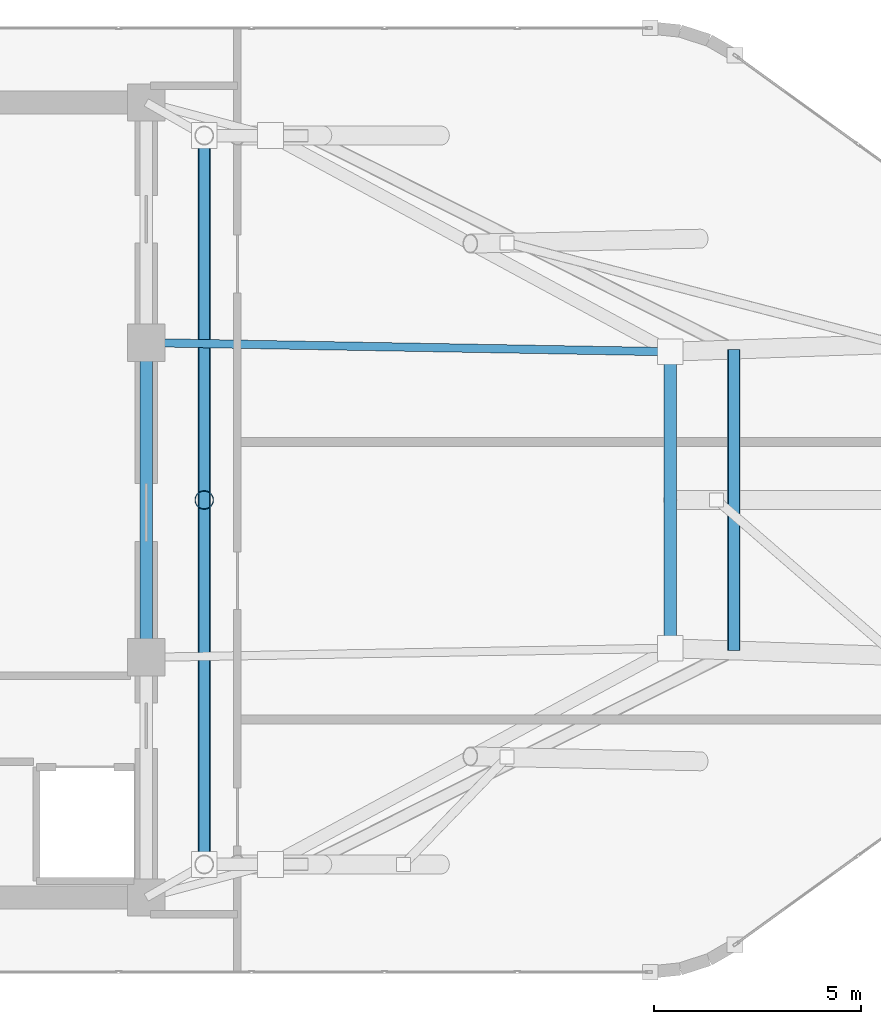
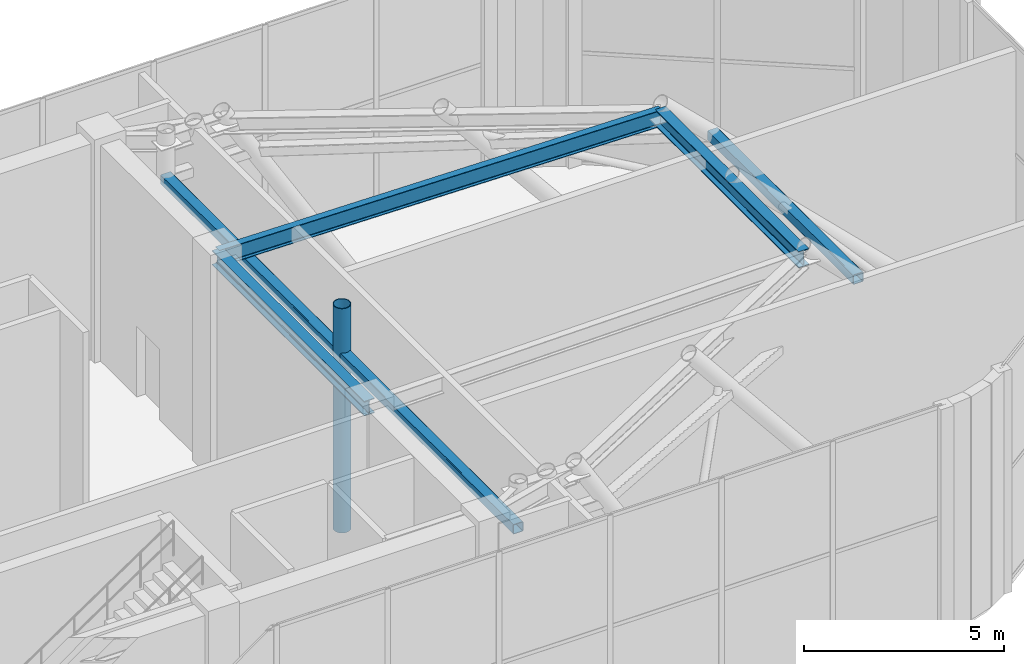
# One storey, part 11 of 23: 3 beams, 3 members.
"""IFC4 building model written with IfcOpenShell, lengths in metres."""

from ifc_helpers import new_model, si_unit, direction, frame, origin, origin_2d, place, context, subcontext, project, spatial, hollow_rectangle, hollow_circle, i_section, extrude, material, material_profile, profile_set, type_object, element, save


model = new_model("IFC4")

# Units and contexts
model_context = context("Model", 3, precision=1e-05, world=origin(), true_north=direction((0.0, 1.0)))
body_context = subcontext(model_context, "Body", "Model", "MODEL_VIEW")
ifc_project = project(units=[si_unit("LENGTHUNIT", "METRE"), si_unit("AREAUNIT", "SQUARE_METRE"), si_unit("VOLUMEUNIT", "CUBIC_METRE"), si_unit("PLANEANGLEUNIT", "RADIAN"), si_unit("MASSUNIT", "GRAM", prefix="KILO")], contexts=[model_context])

# Site, building, storey
site_placement = place(None, origin())
site = spatial("IfcSite", under=ifc_project, at=site_placement, CompositionType="ELEMENT")
building_placement = place(site_placement, origin())
building = spatial("IfcBuilding", under=site, at=building_placement, Name="An Khanh Terracotta Commons", CompositionType="ELEMENT")
storey_placement = place(building_placement, frame((0.0, 0.0, 322.0)))
storey = spatial("IfcBuildingStorey", under=building, at=storey_placement, Name="L81 Crown Heat-Recovery Plant", CompositionType="ELEMENT", Elevation=322.0)

# Beams
ifc_material_1 = material(Name="Steel S355J2", Category="steel")
ifc_material_profile_1 = material_profile(ifc_material_1, i_section(OverallWidth=0.300048828125, OverallDepth=0.449951171875, WebThickness=0.013916015625, FlangeThickness=0.02587890625, FilletRadius=0.027099609375, at=origin_2d()), Name="HEB450")
ifc_profile_set_1 = profile_set([ifc_material_profile_1], Name="Steel S355J2")
beam_type_1 = type_object("IfcBeamType", Name="BM-HEB450", PredefinedType="BEAM", material=ifc_profile_set_1)
beam_1_placement = place(storey_placement, frame((37.199951171875, 20.199951171875, 6.35498046875), z_axis=(0.0, 1.0, 0.0), x_axis=(-1.0, 0.0, 0.0)))
element("IfcBeam", 1, at=beam_1_placement, inside=storey, type_object=beam_type_1, Name="L81 Crown Heat-Recovery Plant Core East Coupling Girder 2", PredefinedType="BEAM", context=body_context, shape_type="SweptSolid", body=[
    extrude(i_section(OverallWidth=0.300048828125, OverallDepth=0.449951171875, WebThickness=0.013916015625, FlangeThickness=0.02587890625, FilletRadius=0.027099609375, at=origin_2d()), origin(), (0.0, 0.0, 1.0), 7.60009765625),
])
ifc_material_profile_2 = material_profile(ifc_material_1, i_section(OverallWidth=0.300048828125, OverallDepth=0.5, WebThickness=0.014404296875, FlangeThickness=0.028076171875, FilletRadius=0.027099609375, at=origin_2d()), Name="HEB500")
ifc_profile_set_2 = profile_set([ifc_material_profile_2], Name="Steel S355J2")
beam_type_2 = type_object("IfcBeamType", Name="BM-HEB500", PredefinedType="BEAM", material=ifc_profile_set_2)
beam_2_placement = place(storey_placement, frame((49.85009765625, 20.419921875, 6.330078125), z_axis=(0.0, 1.0, 0.0), x_axis=(-1.0, 0.0, 0.0)))
element("IfcBeam", 2, at=beam_2_placement, inside=storey, type_object=beam_type_2, Name="L81 Crown Heat-Recovery Plant CROWN FRAME Ring Beam 3", PredefinedType="BEAM", context=body_context, shape_type="SweptSolid", body=[
    extrude(i_section(OverallWidth=0.300048828125, OverallDepth=0.5, WebThickness=0.014404296875, FlangeThickness=0.028076171875, FilletRadius=0.027099609375, at=origin_2d()), origin(), (0.0, 0.0, 1.0), 7.16015625),
])
ifc_material_profile_3 = material_profile(ifc_material_1, i_section(OverallWidth=0.199951171875, OverallDepth=0.5, WebThickness=0.01025390625, FlangeThickness=0.01611328125, FilletRadius=0.02099609375, at=origin_2d()), Name="IPE500")
ifc_profile_set_3 = profile_set([ifc_material_profile_3], Name="Steel S355J2")
beam_type_3 = type_object("IfcBeamType", Name="BM-IPE500", PredefinedType="BEAM", material=ifc_profile_set_3)
beam_3_placement = place(storey_placement, frame((37.199951171875, 27.800048828125, 6.330078125), z_axis=(0.999848849319, -0.017386158704, 0.0), x_axis=(0.017386158704, 0.999848849319, 0.0)))
element("IfcBeam", 3, at=beam_3_placement, inside=storey, type_object=beam_type_3, Name="L81 Crown Heat-Recovery Plant Crown Radial Tie Beam 4", PredefinedType="BEAM", context=body_context, shape_type="SweptSolid", body=[
    extrude(i_section(OverallWidth=0.199951171875, OverallDepth=0.5, WebThickness=0.01025390625, FlangeThickness=0.01611328125, FilletRadius=0.02099609375, at=origin_2d()), origin(), (0.0, 0.0, 1.0), 12.652099609375),
])

# Members
ifc_material_2 = material(Name="Steel S460ML", Category="steel")
ifc_material_profile_4 = material_profile(ifc_material_2, hollow_circle(Radius=0.228515625, WallThickness=0.02001953125, at=origin_2d()), Name="CHS457x20")
ifc_profile_set_4 = profile_set([ifc_material_profile_4], Name="Steel S460ML")
member_type_1 = type_object("IfcMemberType", Name="CROWN FRAME RIB CHS457", PredefinedType="STRUT", material=ifc_profile_set_4)
member_1_placement = place(storey_placement, frame((38.60009765625, 24.0, -0.1201171875), z_axis=(0.0, 0.0, 1.0), x_axis=(1.0, 0.0, 0.0)))
element("IfcMember", 4, at=member_1_placement, inside=storey, type_object=member_type_1, Name="L81 Crown Heat-Recovery Plant CROWN FRAME Facet Strut 6", PredefinedType="STRUT", context=body_context, shape_type="SweptSolid", body=[
    extrude(hollow_circle(Radius=0.228515625, WallThickness=0.02001953125, at=origin_2d()), origin(), (0.0, 0.0, 1.0), 6.840087890625),
])
ifc_material_profile_5 = material_profile(ifc_material_2, hollow_rectangle(XDim=0.300048828125, YDim=0.300048828125, WallThickness=0.01611328125, InnerFilletRadius=0.01611328125, OuterFilletRadius=0.031982421875, at=origin_2d()), Name="SHS300x300x16")
ifc_profile_set_5 = profile_set([ifc_material_profile_5], Name="Steel S460ML")
member_type_2 = type_object("IfcMemberType", Name="CROWN FRAME RING SHS300", PredefinedType="CHORD", material=ifc_profile_set_5)
member_2_placement = place(storey_placement, frame((51.389892578125, 20.366943359375, 5.215087890625), z_axis=(0.0, 1.0, 0.0), x_axis=(-1.0, 0.0, 0.0)))
element("IfcMember", 5, at=member_2_placement, inside=storey, type_object=member_type_2, Name="L81 Crown Heat-Recovery Plant CROWN FRAME Sill Ring Chord 3", PredefinedType="CHORD", context=body_context, shape_type="SweptSolid", body=[
    extrude(hollow_rectangle(XDim=0.300048828125, YDim=0.300048828125, WallThickness=0.01611328125, InnerFilletRadius=0.01611328125, OuterFilletRadius=0.031982421875, at=origin_2d()), origin(), (0.0, 0.0, 1.0), 7.26611328125),
])
member_3_placement = place(storey_placement, frame((38.60009765625, 32.800048828125, 5.215087890625), z_axis=(0.0, -1.0, 0.0), x_axis=(1.0, 0.0, 0.0)))
element("IfcMember", 6, at=member_3_placement, inside=storey, type_object=member_type_2, Name="L81 Crown Heat-Recovery Plant CROWN FRAME Sill Ring Chord 6", PredefinedType="CHORD", context=body_context, shape_type="SweptSolid", body=[
    extrude(hollow_rectangle(XDim=0.300048828125, YDim=0.300048828125, WallThickness=0.01611328125, InnerFilletRadius=0.01611328125, OuterFilletRadius=0.031982421875, at=origin_2d()), origin(), (0.0, 0.0, 1.0), 17.60009765625),
])

save(model, "model.ifc")
